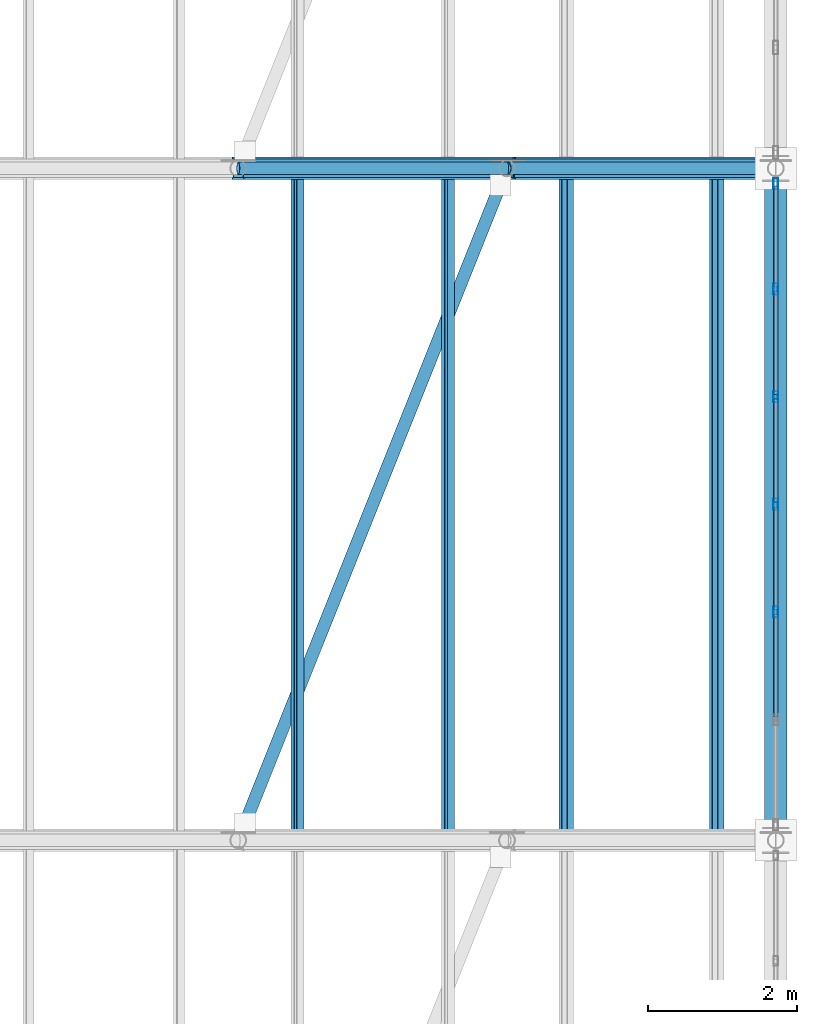
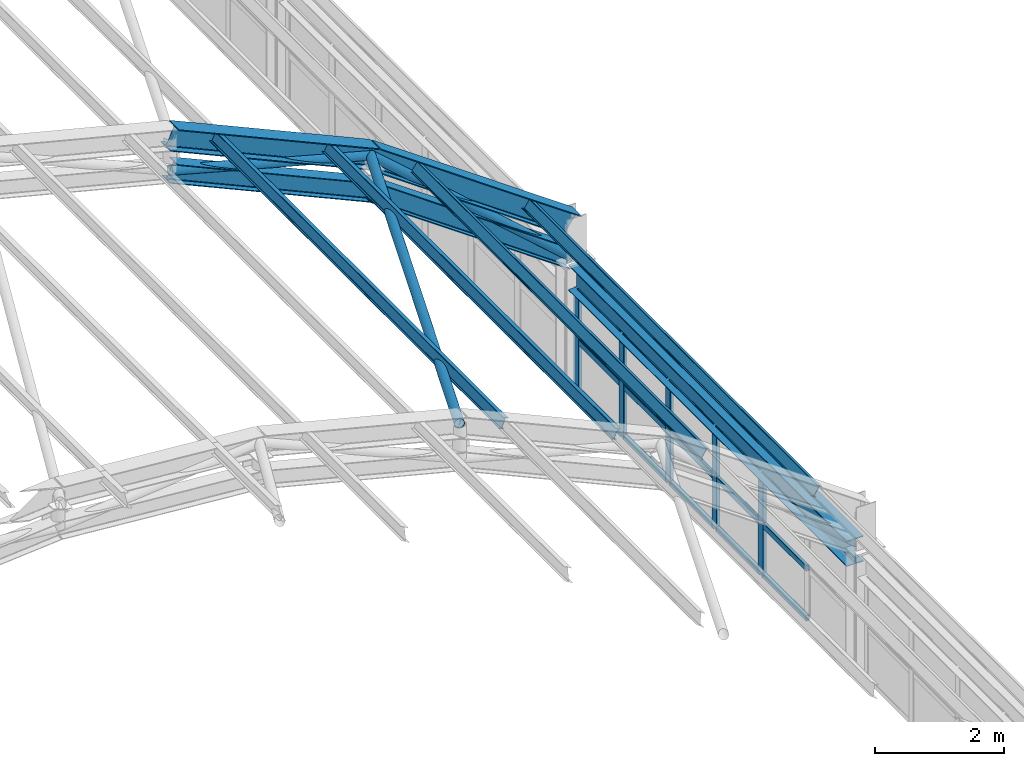
# One storey, part 43 of 121: 29 members, 3 beams, 1 element without a shape of its own.
"""IFC4 building model written with IfcOpenShell, lengths in metres."""

from ifc_helpers import new_model, si_unit, direction, frame, origin, origin_2d, place, context, subcontext, project, spatial, hollow_rectangle, hollow_circle, i_section, extrude, material, material_profile, profile_set, type_object, element, aggregate, save


model = new_model("IFC4")

# Units and contexts
model_context = context("Model", 3, precision=1e-05, world=origin(), true_north=direction((0.0, 1.0)))
body_context = subcontext(model_context, "Body", "Model", "MODEL_VIEW")
ifc_project = project(units=[si_unit("LENGTHUNIT", "METRE"), si_unit("AREAUNIT", "SQUARE_METRE"), si_unit("VOLUMEUNIT", "CUBIC_METRE"), si_unit("PLANEANGLEUNIT", "RADIAN"), si_unit("MASSUNIT", "GRAM", prefix="KILO")], contexts=[model_context])

# Site, building, storey
site_placement = place(None, origin())
site = spatial("IfcSite", under=ifc_project, at=site_placement, CompositionType="ELEMENT")
building_placement = place(site_placement, origin())
building = spatial("IfcBuilding", under=site, at=building_placement, Name="Canglan Escarpment Cableway Terminal", CompositionType="ELEMENT")
storey_placement = place(building_placement, frame((0.0, 0.0, 24.60009765625)))
storey = spatial("IfcBuildingStorey", under=building, at=storey_placement, Name="L05", CompositionType="ELEMENT", Elevation=24.60009765625)

# Beams
ifc_material_1 = material(Name="Steel Q355B", Category="steel")
ifc_material_profile_1 = material_profile(ifc_material_1, i_section(OverallWidth=0.300048828125, OverallDepth=0.389892578125, WebThickness=0.010009765625, FlangeThickness=0.01611328125, FilletRadius=0.02197265625, at=origin_2d()), Name="HM 390x300x10x16")
ifc_profile_set_1 = profile_set([ifc_material_profile_1], Name="Steel Q355B")
beam_type_1 = type_object("IfcBeamType", Name="BM-ARCH-TOP-HM390", PredefinedType="BEAM", material=ifc_profile_set_1)
beam_1_placement = place(storey_placement, frame((159.199951171875, 70.0, 7.23828125), z_axis=(0.911752518833, 0.0, -0.410739996108), x_axis=(0.0, 1.0, 0.0)))
element("IfcBeam", 1, at=beam_1_placement, inside=storey, type_object=beam_type_1, Name="Vault ROOF TRUSS arch top chord AR-TC1", PredefinedType="BEAM", context=body_context, shape_type="SweptSolid", body=[
    extrude(i_section(OverallWidth=0.300048828125, OverallDepth=0.389892578125, WebThickness=0.010009765625, FlangeThickness=0.01611328125, FilletRadius=0.02197265625, at=origin_2d()), origin(), (0.0, 0.0, 1.0), 3.948486328125),
])
beam_2_placement = place(storey_placement, frame((162.800048828125, 70.0, 5.616455078125), z_axis=(0.817731009495, 0.0, -0.575600552563), x_axis=(0.0, 1.0, 0.0)))
element("IfcBeam", 2, at=beam_2_placement, inside=storey, type_object=beam_type_1, Name="Vault ROOF TRUSS arch top chord AR-TC1", PredefinedType="BEAM", context=body_context, shape_type="SweptSolid", body=[
    extrude(i_section(OverallWidth=0.300048828125, OverallDepth=0.389892578125, WebThickness=0.010009765625, FlangeThickness=0.01611328125, FilletRadius=0.02197265625, at=origin_2d()), origin(), (0.0, 0.0, 1.0), 4.40234375),
])
ifc_material_profile_2 = material_profile(ifc_material_1, i_section(OverallWidth=0.300048828125, OverallDepth=0.488037109375, WebThickness=0.010986328125, FlangeThickness=0.01806640625, FilletRadius=0.02587890625, at=origin_2d()), Name="HM 488x300x11x18")
ifc_profile_set_2 = profile_set([ifc_material_profile_2], Name="Steel Q355B")
beam_type_2 = type_object("IfcBeamType", Name="BM-HM488", PredefinedType="BEAM", material=ifc_profile_set_2)
beam_3_placement = place(storey_placement, frame((166.39990234375, 61.175048828125, 2.1884765625), z_axis=(0.0, 1.0, 0.0), x_axis=(-1.0, 0.0, 0.0)))
element("IfcBeam", 3, at=beam_3_placement, inside=storey, type_object=beam_type_2, Name="Vault springing ring girder B-09", PredefinedType="BEAM", context=body_context, shape_type="SweptSolid", body=[
    extrude(i_section(OverallWidth=0.300048828125, OverallDepth=0.488037109375, WebThickness=0.010986328125, FlangeThickness=0.01806640625, FilletRadius=0.02587890625, at=origin_2d()), origin(), (0.0, 0.0, 1.0), 8.64990234375),
])

# Curtain wall, members
ifc_material_2 = material(Name="Anodized bronze aluminium and Low-E double glazing", Category="aluminium")
curtain_wall_type = type_object("IfcCurtainWallType", Name="CW-BAY-8650x1950", PredefinedType="NOTDEFINED", material=ifc_material_2)
curtain_wall_placement = place(storey_placement, origin())
curtain_wall = element("IfcCurtainWall", 4, at=curtain_wall_placement, inside=storey, type_object=curtain_wall_type, Name="Classical bay-between-piers glazed curtain wall CW-66", PredefinedType="NOTDEFINED")
ifc_material_3 = material(Name="Thermally broken anodized aluminium 6063-T6", Category="aluminium")
ifc_material_profile_3 = material_profile(ifc_material_3, hollow_rectangle(XDim=0.06494140625, YDim=0.14990234375, WallThickness=0.00341796875, InnerFilletRadius=0.00341796875, OuterFilletRadius=0.007080078125, at=origin_2d()), Name="ALU-MULL 65x150x3.5")
ifc_profile_set_3 = profile_set([ifc_material_profile_3], Name="Thermally broken anodized aluminium 6063-T6")
member_type_1 = type_object("IfcMemberType", Name="CWM-02", PredefinedType="MULLION", material=ifc_profile_set_3)
member_1_placement = place(storey_placement, frame((166.39990234375, 64.058349609375, 0.0), z_axis=(0.0, 0.0, 1.0), x_axis=(-1.0, 0.0, 0.0)))
member_1 = element("IfcMember", 5, at=member_1_placement, type_object=member_type_1, Name="CW-66 mullion 3", PredefinedType="MULLION", context=body_context, shape_type="SweptSolid", body=[
    extrude(hollow_rectangle(XDim=0.06494140625, YDim=0.14990234375, WallThickness=0.00341796875, InnerFilletRadius=0.00341796875, OuterFilletRadius=0.007080078125, at=origin_2d()), origin(), (0.0, 0.0, 1.0), 1.949951171875),
])
member_2_placement = place(storey_placement, frame((166.39990234375, 65.5, 0.0), z_axis=(0.0, 0.0, 1.0), x_axis=(-1.0, 0.0, 0.0)))
member_2 = element("IfcMember", 6, at=member_2_placement, type_object=member_type_1, Name="CW-66 mullion 4", PredefinedType="MULLION", context=body_context, shape_type="SweptSolid", body=[
    extrude(hollow_rectangle(XDim=0.06494140625, YDim=0.14990234375, WallThickness=0.00341796875, InnerFilletRadius=0.00341796875, OuterFilletRadius=0.007080078125, at=origin_2d()), origin(), (0.0, 0.0, 1.0), 1.949951171875),
])
member_3_placement = place(storey_placement, frame((166.39990234375, 66.941650390625, 0.0), z_axis=(0.0, 0.0, 1.0), x_axis=(-1.0, 0.0, 0.0)))
member_3 = element("IfcMember", 7, at=member_3_placement, type_object=member_type_1, Name="CW-66 mullion 5", PredefinedType="MULLION", context=body_context, shape_type="SweptSolid", body=[
    extrude(hollow_rectangle(XDim=0.06494140625, YDim=0.14990234375, WallThickness=0.00341796875, InnerFilletRadius=0.00341796875, OuterFilletRadius=0.007080078125, at=origin_2d()), origin(), (0.0, 0.0, 1.0), 1.949951171875),
])
member_4_placement = place(storey_placement, frame((166.39990234375, 68.38330078125, 0.0), z_axis=(0.0, 0.0, 1.0), x_axis=(-1.0, 0.0, 0.0)))
member_4 = element("IfcMember", 8, at=member_4_placement, type_object=member_type_1, Name="CW-66 mullion 6", PredefinedType="MULLION", context=body_context, shape_type="SweptSolid", body=[
    extrude(hollow_rectangle(XDim=0.06494140625, YDim=0.14990234375, WallThickness=0.00341796875, InnerFilletRadius=0.00341796875, OuterFilletRadius=0.007080078125, at=origin_2d()), origin(), (0.0, 0.0, 1.0), 1.949951171875),
])
member_5_placement = place(storey_placement, frame((166.39990234375, 69.79248046875, 0.0), z_axis=(0.0, 0.0, 1.0), x_axis=(-1.0, 0.0, 0.0)))
member_5 = element("IfcMember", 9, at=member_5_placement, type_object=member_type_1, Name="CW-66 mullion 7", PredefinedType="MULLION", context=body_context, shape_type="SweptSolid", body=[
    extrude(hollow_rectangle(XDim=0.06494140625, YDim=0.14990234375, WallThickness=0.00341796875, InnerFilletRadius=0.00341796875, OuterFilletRadius=0.007080078125, at=origin_2d()), origin(), (0.0, 0.0, 1.0), 1.949951171875),
])
ifc_material_profile_4 = material_profile(ifc_material_3, hollow_rectangle(XDim=0.06005859375, YDim=0.110107421875, WallThickness=0.0029296875, InnerFilletRadius=0.0029296875, OuterFilletRadius=0.006103515625, at=origin_2d()), Name="ALU-TRAN 60x110x3")
ifc_profile_set_4 = profile_set([ifc_material_profile_4], Name="Thermally broken anodized aluminium 6063-T6")
member_type_2 = type_object("IfcMemberType", Name="CWT-02", PredefinedType="USERDEFINED", material=ifc_profile_set_4)
member_6_placement = place(storey_placement, frame((166.39990234375, 62.649169921875, 0.02978515625), z_axis=(0.0, 1.0, 0.0), x_axis=(-1.0, 0.0, 0.0)))
member_6 = element("IfcMember", 10, at=member_6_placement, type_object=member_type_2, Name="CW-66 transom 2.1", ObjectType="TRANSOM", PredefinedType="USERDEFINED", context=body_context, shape_type="SweptSolid", body=[
    extrude(hollow_rectangle(XDim=0.06005859375, YDim=0.110107421875, WallThickness=0.0029296875, InnerFilletRadius=0.0029296875, OuterFilletRadius=0.006103515625, at=origin_2d()), origin(), (0.0, 0.0, 1.0), 1.376708984375),
])
member_7_placement = place(storey_placement, frame((166.39990234375, 62.649169921875, 0.974853515625), z_axis=(0.0, 1.0, 0.0), x_axis=(-1.0, 0.0, 0.0)))
member_7 = element("IfcMember", 11, at=member_7_placement, type_object=member_type_2, Name="CW-66 transom 2.2", ObjectType="TRANSOM", PredefinedType="USERDEFINED", context=body_context, shape_type="SweptSolid", body=[
    extrude(hollow_rectangle(XDim=0.06005859375, YDim=0.110107421875, WallThickness=0.0029296875, InnerFilletRadius=0.0029296875, OuterFilletRadius=0.006103515625, at=origin_2d()), origin(), (0.0, 0.0, 1.0), 1.376708984375),
])
member_8_placement = place(storey_placement, frame((166.39990234375, 62.649169921875, 1.919921875), z_axis=(0.0, 1.0, 0.0), x_axis=(-1.0, 0.0, 0.0)))
member_8 = element("IfcMember", 12, at=member_8_placement, type_object=member_type_2, Name="CW-66 transom 2.3", ObjectType="TRANSOM", PredefinedType="USERDEFINED", context=body_context, shape_type="SweptSolid", body=[
    extrude(hollow_rectangle(XDim=0.06005859375, YDim=0.110107421875, WallThickness=0.0029296875, InnerFilletRadius=0.0029296875, OuterFilletRadius=0.006103515625, at=origin_2d()), origin(), (0.0, 0.0, 1.0), 1.376708984375),
])
member_9_placement = place(storey_placement, frame((166.39990234375, 64.0908203125, 0.02978515625), z_axis=(0.0, 1.0, 0.0), x_axis=(-1.0, 0.0, 0.0)))
member_9 = element("IfcMember", 13, at=member_9_placement, type_object=member_type_2, Name="CW-66 transom 3.1", ObjectType="TRANSOM", PredefinedType="USERDEFINED", context=body_context, shape_type="SweptSolid", body=[
    extrude(hollow_rectangle(XDim=0.06005859375, YDim=0.110107421875, WallThickness=0.0029296875, InnerFilletRadius=0.0029296875, OuterFilletRadius=0.006103515625, at=origin_2d()), origin(), (0.0, 0.0, 1.0), 1.376708984375),
])
member_10_placement = place(storey_placement, frame((166.39990234375, 64.0908203125, 0.974853515625), z_axis=(0.0, 1.0, 0.0), x_axis=(-1.0, 0.0, 0.0)))
member_10 = element("IfcMember", 14, at=member_10_placement, type_object=member_type_2, Name="CW-66 transom 3.2", ObjectType="TRANSOM", PredefinedType="USERDEFINED", context=body_context, shape_type="SweptSolid", body=[
    extrude(hollow_rectangle(XDim=0.06005859375, YDim=0.110107421875, WallThickness=0.0029296875, InnerFilletRadius=0.0029296875, OuterFilletRadius=0.006103515625, at=origin_2d()), origin(), (0.0, 0.0, 1.0), 1.376708984375),
])
member_11_placement = place(storey_placement, frame((166.39990234375, 64.0908203125, 1.919921875), z_axis=(0.0, 1.0, 0.0), x_axis=(-1.0, 0.0, 0.0)))
member_11 = element("IfcMember", 15, at=member_11_placement, type_object=member_type_2, Name="CW-66 transom 3.3", ObjectType="TRANSOM", PredefinedType="USERDEFINED", context=body_context, shape_type="SweptSolid", body=[
    extrude(hollow_rectangle(XDim=0.06005859375, YDim=0.110107421875, WallThickness=0.0029296875, InnerFilletRadius=0.0029296875, OuterFilletRadius=0.006103515625, at=origin_2d()), origin(), (0.0, 0.0, 1.0), 1.376708984375),
])
member_12_placement = place(storey_placement, frame((166.39990234375, 65.532470703125, 0.02978515625), z_axis=(0.0, 1.0, 0.0), x_axis=(-1.0, 0.0, 0.0)))
member_12 = element("IfcMember", 16, at=member_12_placement, type_object=member_type_2, Name="CW-66 transom 4.1", ObjectType="TRANSOM", PredefinedType="USERDEFINED", context=body_context, shape_type="SweptSolid", body=[
    extrude(hollow_rectangle(XDim=0.06005859375, YDim=0.110107421875, WallThickness=0.0029296875, InnerFilletRadius=0.0029296875, OuterFilletRadius=0.006103515625, at=origin_2d()), origin(), (0.0, 0.0, 1.0), 1.376708984375),
])
member_13_placement = place(storey_placement, frame((166.39990234375, 65.532470703125, 0.974853515625), z_axis=(0.0, 1.0, 0.0), x_axis=(-1.0, 0.0, 0.0)))
member_13 = element("IfcMember", 17, at=member_13_placement, type_object=member_type_2, Name="CW-66 transom 4.2", ObjectType="TRANSOM", PredefinedType="USERDEFINED", context=body_context, shape_type="SweptSolid", body=[
    extrude(hollow_rectangle(XDim=0.06005859375, YDim=0.110107421875, WallThickness=0.0029296875, InnerFilletRadius=0.0029296875, OuterFilletRadius=0.006103515625, at=origin_2d()), origin(), (0.0, 0.0, 1.0), 1.376708984375),
])
member_14_placement = place(storey_placement, frame((166.39990234375, 65.532470703125, 1.919921875), z_axis=(0.0, 1.0, 0.0), x_axis=(-1.0, 0.0, 0.0)))
member_14 = element("IfcMember", 18, at=member_14_placement, type_object=member_type_2, Name="CW-66 transom 4.3", ObjectType="TRANSOM", PredefinedType="USERDEFINED", context=body_context, shape_type="SweptSolid", body=[
    extrude(hollow_rectangle(XDim=0.06005859375, YDim=0.110107421875, WallThickness=0.0029296875, InnerFilletRadius=0.0029296875, OuterFilletRadius=0.006103515625, at=origin_2d()), origin(), (0.0, 0.0, 1.0), 1.376708984375),
])
member_15_placement = place(storey_placement, frame((166.39990234375, 66.97412109375, 0.02978515625), z_axis=(0.0, 1.0, 0.0), x_axis=(-1.0, 0.0, 0.0)))
member_15 = element("IfcMember", 19, at=member_15_placement, type_object=member_type_2, Name="CW-66 transom 5.1", ObjectType="TRANSOM", PredefinedType="USERDEFINED", context=body_context, shape_type="SweptSolid", body=[
    extrude(hollow_rectangle(XDim=0.06005859375, YDim=0.110107421875, WallThickness=0.0029296875, InnerFilletRadius=0.0029296875, OuterFilletRadius=0.006103515625, at=origin_2d()), origin(), (0.0, 0.0, 1.0), 1.376708984375),
])
member_16_placement = place(storey_placement, frame((166.39990234375, 66.97412109375, 0.974853515625), z_axis=(0.0, 1.0, 0.0), x_axis=(-1.0, 0.0, 0.0)))
member_16 = element("IfcMember", 20, at=member_16_placement, type_object=member_type_2, Name="CW-66 transom 5.2", ObjectType="TRANSOM", PredefinedType="USERDEFINED", context=body_context, shape_type="SweptSolid", body=[
    extrude(hollow_rectangle(XDim=0.06005859375, YDim=0.110107421875, WallThickness=0.0029296875, InnerFilletRadius=0.0029296875, OuterFilletRadius=0.006103515625, at=origin_2d()), origin(), (0.0, 0.0, 1.0), 1.376708984375),
])
member_17_placement = place(storey_placement, frame((166.39990234375, 66.97412109375, 1.919921875), z_axis=(0.0, 1.0, 0.0), x_axis=(-1.0, 0.0, 0.0)))
member_17 = element("IfcMember", 21, at=member_17_placement, type_object=member_type_2, Name="CW-66 transom 5.3", ObjectType="TRANSOM", PredefinedType="USERDEFINED", context=body_context, shape_type="SweptSolid", body=[
    extrude(hollow_rectangle(XDim=0.06005859375, YDim=0.110107421875, WallThickness=0.0029296875, InnerFilletRadius=0.0029296875, OuterFilletRadius=0.006103515625, at=origin_2d()), origin(), (0.0, 0.0, 1.0), 1.376708984375),
])
member_18_placement = place(storey_placement, frame((166.39990234375, 68.415771484375, 0.02978515625), z_axis=(0.0, 1.0, 0.0), x_axis=(-1.0, 0.0, 0.0)))
member_18 = element("IfcMember", 22, at=member_18_placement, type_object=member_type_2, Name="CW-66 transom 6.1", ObjectType="TRANSOM", PredefinedType="USERDEFINED", context=body_context, shape_type="SweptSolid", body=[
    extrude(hollow_rectangle(XDim=0.06005859375, YDim=0.110107421875, WallThickness=0.0029296875, InnerFilletRadius=0.0029296875, OuterFilletRadius=0.006103515625, at=origin_2d()), origin(), (0.0, 0.0, 1.0), 1.34423828125),
])
member_19_placement = place(storey_placement, frame((166.39990234375, 68.415771484375, 0.974853515625), z_axis=(0.0, 1.0, 0.0), x_axis=(-1.0, 0.0, 0.0)))
member_19 = element("IfcMember", 23, at=member_19_placement, type_object=member_type_2, Name="CW-66 transom 6.2", ObjectType="TRANSOM", PredefinedType="USERDEFINED", context=body_context, shape_type="SweptSolid", body=[
    extrude(hollow_rectangle(XDim=0.06005859375, YDim=0.110107421875, WallThickness=0.0029296875, InnerFilletRadius=0.0029296875, OuterFilletRadius=0.006103515625, at=origin_2d()), origin(), (0.0, 0.0, 1.0), 1.34423828125),
])
member_20_placement = place(storey_placement, frame((166.39990234375, 68.415771484375, 1.919921875), z_axis=(0.0, 1.0, 0.0), x_axis=(-1.0, 0.0, 0.0)))
member_20 = element("IfcMember", 24, at=member_20_placement, type_object=member_type_2, Name="CW-66 transom 6.3", ObjectType="TRANSOM", PredefinedType="USERDEFINED", context=body_context, shape_type="SweptSolid", body=[
    extrude(hollow_rectangle(XDim=0.06005859375, YDim=0.110107421875, WallThickness=0.0029296875, InnerFilletRadius=0.0029296875, OuterFilletRadius=0.006103515625, at=origin_2d()), origin(), (0.0, 0.0, 1.0), 1.34423828125),
])
aggregate(curtain_wall, [member_1, member_2, member_3, member_4, member_5, member_6, member_7, member_8, member_9, member_10, member_11, member_12, member_13, member_14, member_15, member_16, member_17, member_18, member_19, member_20])

# Members
ifc_material_profile_5 = material_profile(ifc_material_1, i_section(OverallWidth=0.25, OverallDepth=0.340087890625, WebThickness=0.009033203125, FlangeThickness=0.013916015625, FilletRadius=0.02001953125, at=origin_2d()), Name="HM 340x250x9x14")
ifc_profile_set_5 = profile_set([ifc_material_profile_5], Name="Steel Q355B")
member_type_3 = type_object("IfcMemberType", Name="MB-ARCH-BOT-HM340", PredefinedType="CHORD", material=ifc_profile_set_5)
member_21_placement = place(storey_placement, frame((159.199951171875, 70.0, 6.58837890625), z_axis=(0.911752518833, 0.0, -0.410739996108), x_axis=(0.0, 1.0, 0.0)))
element("IfcMember", 25, at=member_21_placement, inside=storey, type_object=member_type_3, Name="Vault ROOF TRUSS arch bottom chord AR-BC1", PredefinedType="CHORD", context=body_context, shape_type="SweptSolid", body=[
    extrude(i_section(OverallWidth=0.25, OverallDepth=0.340087890625, WebThickness=0.009033203125, FlangeThickness=0.013916015625, FilletRadius=0.02001953125, at=origin_2d()), origin(), (0.0, 0.0, 1.0), 3.948486328125),
])
member_22_placement = place(storey_placement, frame((162.800048828125, 70.0, 4.966552734375), z_axis=(0.81770490607, 0.0, -0.575637634792), x_axis=(0.0, 1.0, 0.0)))
element("IfcMember", 26, at=member_22_placement, inside=storey, type_object=member_type_3, Name="Vault ROOF TRUSS arch bottom chord AR-BC1", PredefinedType="CHORD", context=body_context, shape_type="SweptSolid", body=[
    extrude(i_section(OverallWidth=0.25, OverallDepth=0.340087890625, WebThickness=0.009033203125, FlangeThickness=0.013916015625, FilletRadius=0.02001953125, at=origin_2d()), origin(), (0.0, 0.0, 1.0), 4.40234375),
])
ifc_material_profile_6 = material_profile(ifc_material_1, hollow_circle(Radius=0.084228515625, WallThickness=0.006103515625, at=origin_2d()), Name="CHS 168.3x6")
ifc_profile_set_6 = profile_set([ifc_material_profile_6], Name="Steel Q355B")
member_type_4 = type_object("IfcMemberType", Name="MB-ARCH-DIAG-CHS168", PredefinedType="BRACE", material=ifc_profile_set_6)
member_23_placement = place(storey_placement, frame((159.199951171875, 70.0, 6.58837890625), z_axis=(0.96543600217, 0.0, -0.260640222748), x_axis=(0.0, 1.0, 0.0)))
element("IfcMember", 27, at=member_23_placement, inside=storey, type_object=member_type_4, Name="Vault ROOF TRUSS web diagonal AR-DG1", PredefinedType="BRACE", context=body_context, shape_type="SweptSolid", body=[
    extrude(hollow_circle(Radius=0.084228515625, WallThickness=0.006103515625, at=origin_2d()), origin(), (0.0, 0.0, 1.0), 3.72900390625),
])
member_24_placement = place(storey_placement, frame((162.800048828125, 70.0, 5.616455078125), z_axis=(0.749038254518, 0.0, -0.662526749096), x_axis=(0.0, 1.0, 0.0)))
element("IfcMember", 28, at=member_24_placement, inside=storey, type_object=member_type_4, Name="Vault ROOF TRUSS web diagonal AR-DG1", PredefinedType="BRACE", context=body_context, shape_type="SweptSolid", body=[
    extrude(hollow_circle(Radius=0.084228515625, WallThickness=0.006103515625, at=origin_2d()), origin(), (0.0, 0.0, 1.0), 4.805908203125),
])
ifc_material_profile_7 = material_profile(ifc_material_1, hollow_circle(Radius=0.084228515625, WallThickness=0.006103515625, at=origin_2d()), Name="CHS 168.3x6")
ifc_profile_set_7 = profile_set([ifc_material_profile_7], Name="Steel Q355B")
member_type_5 = type_object("IfcMemberType", Name="MB-ROOF-BR-CHS168", PredefinedType="BRACE", material=ifc_profile_set_7)
member_25_placement = place(storey_placement, frame((159.199951171875, 61.0, 7.23828125), z_axis=(0.366307573698, 0.915744093096, -0.165019748547), x_axis=(-0.928473216852, 0.37139936132, 0.0)))
element("IfcMember", 29, at=member_25_placement, inside=storey, type_object=member_type_5, Name="Vault roof plane wind brace BR-03", PredefinedType="BRACE", context=body_context, shape_type="SweptSolid", body=[
    extrude(hollow_circle(Radius=0.084228515625, WallThickness=0.006103515625, at=origin_2d()), origin(), (0.0, 0.0, 1.0), 9.828125),
])
ifc_material_profile_8 = material_profile(ifc_material_1, i_section(OverallWidth=0.10009765625, OverallDepth=0.199951171875, WebThickness=0.005615234375, FlangeThickness=0.008056640625, FilletRadius=0.010986328125, at=origin_2d()), Name="HN 200x100x5.5x8")
ifc_profile_set_8 = profile_set([ifc_material_profile_8], Name="Steel Q355B")
member_type_6 = type_object("IfcMemberType", Name="MB-VAULT-PUR-HN200", PredefinedType="PURLIN", material=ifc_profile_set_8)
for number, where, z_axis, x_axis, name in (
    (30, (159.991943359375, 61.0, 6.968017578125), (0.0, 1.0, 0.0), (-0.911740537138, 0.0, 0.410766591799), "Barrel-vault roof purlin PR-01"),
    (31, (162.008056640625, 61.0, 6.059814453125), (0.0, 1.0, 0.0), (-0.911740537138, 0.0, 0.410766591799), "Barrel-vault roof purlin PR-01"),
    (32, (163.592041015625, 61.0, 5.1318359375), (0.0, 1.0, 0.0), (-0.817727996784, 0.0, 0.575604832568), "Barrel-vault roof purlin PR-01"),
    (33, (165.60791015625, 61.0, 3.712890625), (0.0, 1.0, 0.0), (-0.817727996784, 0.0, 0.575604832568), "Barrel-vault roof purlin PR-01"),
):
    element("IfcMember", number, at=place(storey_placement, frame(where, z_axis=z_axis, x_axis=x_axis)), inside=storey, type_object=member_type_6, Name=name, PredefinedType="PURLIN", context=body_context, shape_type="SweptSolid", body=[
        extrude(i_section(OverallWidth=0.10009765625, OverallDepth=0.199951171875, WebThickness=0.005615234375, FlangeThickness=0.008056640625, FilletRadius=0.010986328125, at=origin_2d()), origin(), (0.0, 0.0, 1.0), 9.0),
    ])

save(model, "model.ifc")
